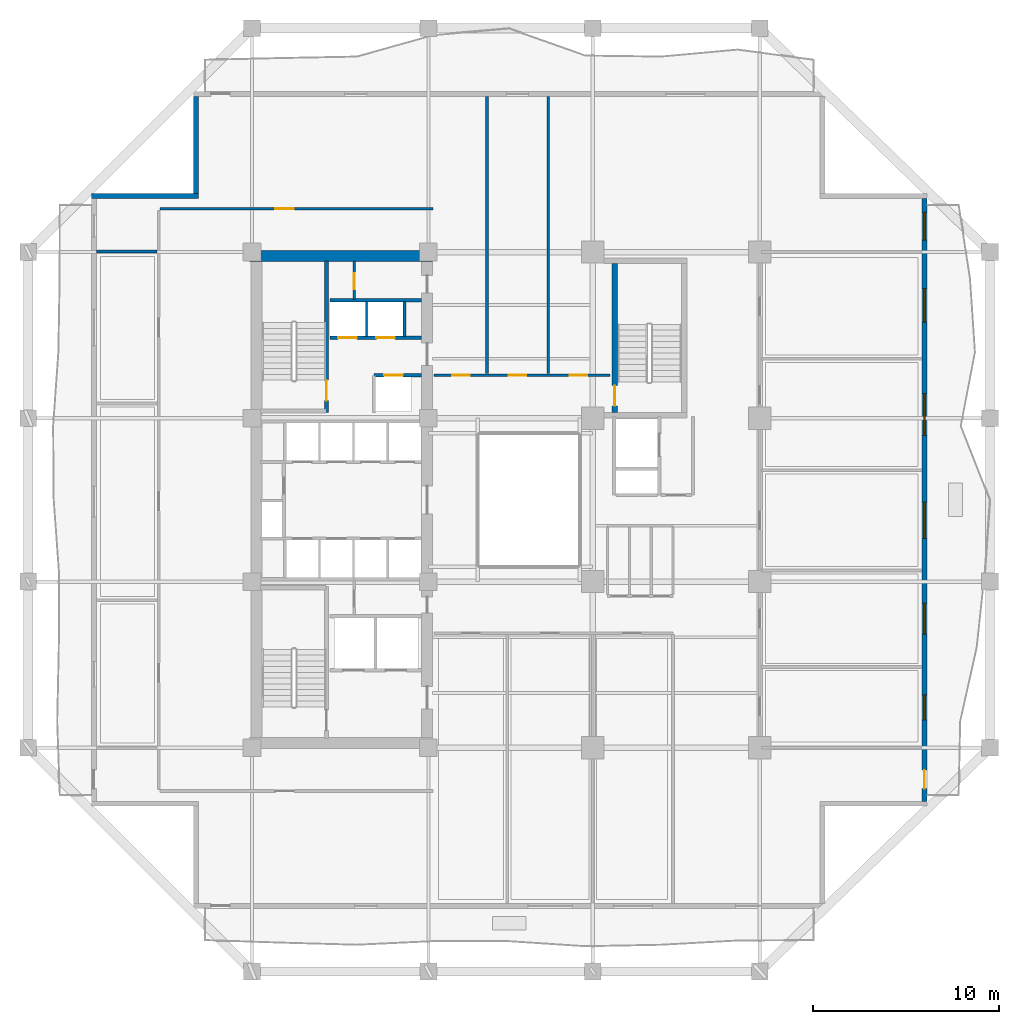
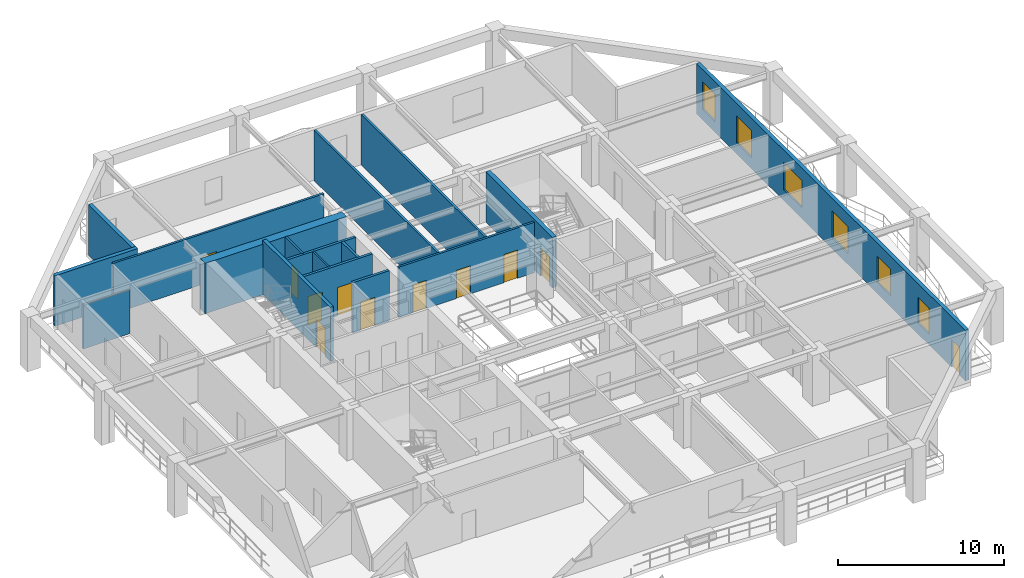
# One storey, part 5 of 13: 17 walls, 11 doors, 6 windows, 17 openings.
"""IFC4 building model written with IfcOpenShell, lengths in metres."""

from ifc_helpers import new_model, si_unit, direction, frame, frame_2d, origin, place, context, subcontext, project, spatial, rectangle, extrude, material, layer, layer_set, type_object, element, fill, save


model = new_model("IFC4")

# Units and contexts
model_context = context("Model", 3, precision=1e-05, world=origin(), true_north=direction((0.0, 1.0)))
body_context = subcontext(model_context, "Body", "Model", "MODEL_VIEW")
ifc_project = project(units=[si_unit("LENGTHUNIT", "METRE"), si_unit("AREAUNIT", "SQUARE_METRE"), si_unit("VOLUMEUNIT", "CUBIC_METRE"), si_unit("PLANEANGLEUNIT", "RADIAN"), si_unit("MASSUNIT", "GRAM", prefix="KILO")], contexts=[model_context])

# Site, building, storey
site_placement = place(None, origin())
site = spatial("IfcSite", under=ifc_project, at=site_placement, CompositionType="ELEMENT")
building_placement = place(site_placement, origin())
building = spatial("IfcBuilding", under=site, at=building_placement, Name="Kundavana Baori Tower", CompositionType="ELEMENT")
storey_placement = place(building_placement, frame((0.0, 0.0, 50.0)))
storey = spatial("IfcBuildingStorey", under=building, at=storey_placement, Name="L11", CompositionType="ELEMENT", Elevation=50.0)

# Wall, opening, door
ifc_material_1 = material(Name="Concrete C50/60", Category="concrete")
ifc_layer_1 = layer(ifc_material_1, 0.39990234375, Name="WL-CORE-400")
ifc_layer_set_1 = layer_set([ifc_layer_1], Name="Concrete C50/60")
wall_type_1 = type_object("IfcWallType", Name="WL-CORE-400", PredefinedType="SHEAR", material=ifc_layer_set_1)
wall_1_placement = place(storey_placement, frame((19.4599609375, 33.300048828125, 0.0), z_axis=(0.0, 0.0, 1.0), x_axis=(0.0, 1.0, 0.0)))
wall_1 = element("IfcWall", 1, at=wall_1_placement, inside=storey, type_object=wall_type_1, Name="WL-L11-ST2-E", PredefinedType="SHEAR", context=body_context, shape_type="SweptSolid", body=[
    extrude(rectangle(XDim=8.179931640625, YDim=0.239990234375, at=frame_2d((4.08984375, 0.0))), origin(), (0.0, 0.0, 1.0), 4.0),
])
opening_1_placement = place(wall_1_placement, frame((0.64990234375, 0.0, 0.0)))
opening_1 = element("IfcOpeningElement", 2, at=opening_1_placement, cuts=wall_1, Name="Opening FD-110", PredefinedType="OPENING", context=body_context, shape_type="SweptSolid", body=[
    extrude(rectangle(XDim=1.10009765625, YDim=2.10009765625, at=frame_2d((0.550048828125, 1.050048828125))), frame((0.0, 0.1298828125, 0.0), z_axis=(0.0, -1.0, 0.0), x_axis=(1.0, 0.0, 0.0)), (0.0, 0.0, 1.0), 0.260009765625),
])
ifc_material_2 = material(Name="Galvanised Steel Fire-Rated Door Leaf", Category="steel")
door_type_1 = type_object("IfcDoorType", Name="DR-FD120-1100", OperationType="NOTDEFINED", PredefinedType="DOOR", material=ifc_material_2)
door_1_placement = place(opening_1_placement, origin())
door_1 = element("IfcDoor", 3, at=door_1_placement, inside=storey, type_object=door_type_1, Name="DR-L11-ST2", OperationType="SINGLE_SWING_RIGHT", OverallHeight=2.10009765625, OverallWidth=1.10009765625, PredefinedType="DOOR", context=body_context, shape_type="SweptSolid", body=[
    extrude(rectangle(XDim=1.10009765625, YDim=2.10009765625, at=frame_2d((0.550048828125, 1.050048828125))), frame((0.0, 0.02490234375, 0.0), z_axis=(0.0, -1.0, 0.0), x_axis=(1.0, 0.0, 0.0)), (0.0, 0.0, 1.0), 0.050048828125),
])
fill(opening_1, door_1)

# Wall
ifc_material_3 = material(Name="Concrete C60/75", Category="concrete")
ifc_layer_2 = layer(ifc_material_3, 0.60009765625, Name="WL-CORE-600")
ifc_layer_set_2 = layer_set([ifc_layer_2], Name="Concrete C60/75")
wall_type_2 = type_object("IfcWallType", Name="WL-CORE-600", PredefinedType="SHEAR", material=ifc_layer_set_2)
wall_2_placement = place(storey_placement, frame((15.300048828125, 41.739990234375, 0.0), z_axis=(0.0, 0.0, 1.0), x_axis=(1.0, 0.0, 0.0)))
element("IfcWall", 4, at=wall_2_placement, inside=storey, type_object=wall_type_2, Name="L11 Offset Core North Shear Wall", PredefinedType="SHEAR", context=body_context, shape_type="SweptSolid", body=[
    extrude(rectangle(XDim=9.8798828125, YDim=0.60009765625, at=frame_2d((4.93994140625, 0.0))), origin(), (0.0, 0.0, 1.0), 3.719970703125),
])

# Wall, openings, door, windows
ifc_material_4 = material(Name="Kiln-Fired Terracotta Brick-Slip Masonry on Concrete C40/50", Category="masonry")
ifc_layer_3 = layer(ifc_material_4, 0.260009765625, Name="WL-EXT-BRK-260")
ifc_layer_set_3 = layer_set([ifc_layer_3], Name="Kiln-Fired Terracotta Brick-Slip Masonry on Concrete C40/50")
wall_type_3 = type_object("IfcWallType", Name="WL-EXT-BRK-260", PredefinedType="SOLIDWALL", material=ifc_layer_set_3)
wall_3_placement = place(storey_placement, frame((51.669921875, 12.360107421875, 0.0), z_axis=(0.0, 0.0, 1.0), x_axis=(0.0, 1.0, 0.0)))
wall_3 = element("IfcWall", 5, at=wall_3_placement, inside=storey, type_object=wall_type_3, Name="L11 Exterior Insulated Facade Wall 04", PredefinedType="SOLIDWALL", context=body_context, shape_type="SweptSolid", body=[
    extrude(rectangle(XDim=32.47998046875, YDim=0.260009765625, at=frame_2d((16.239990234375, 0.0))), origin(), (0.0, 0.0, 1.0), 3.719970703125),
])
opening_2_placement = place(wall_3_placement, frame((0.68994140625, 0.0, 0.0)))
opening_2 = element("IfcOpeningElement", 6, at=opening_2_placement, cuts=wall_3, Name="Opening BD-1", PredefinedType="OPENING", context=body_context, shape_type="SweptSolid", body=[
    extrude(rectangle(XDim=1.0, YDim=2.050048828125, at=frame_2d((0.5, 1.02490234375))), frame((0.0, 0.14013671875, 0.0), z_axis=(0.0, -1.0, 0.0), x_axis=(1.0, 0.0, 0.0)), (0.0, 0.0, 1.0), 0.280029296875),
])
opening_3_placement = place(wall_3_placement, frame((4.389892578125, 0.0, 0.800048828125)))
opening_3 = element("IfcOpeningElement", 7, at=opening_3_placement, cuts=wall_3, Name="Opening W-07", PredefinedType="OPENING", context=body_context, shape_type="SweptSolid", body=[
    extrude(rectangle(XDim=1.35009765625, YDim=1.89990234375, at=frame_2d((0.675048828125, 0.949951171875))), frame((0.0, 0.14013671875, 0.0), z_axis=(0.0, -1.0, 0.0), x_axis=(1.0, 0.0, 0.0)), (0.0, 0.0, 1.0), 0.280029296875),
])
opening_4_placement = place(wall_3_placement, frame((9.014892578125, 0.0, 0.800048828125)))
opening_4 = element("IfcOpeningElement", 8, at=opening_4_placement, cuts=wall_3, Name="Opening W-08", PredefinedType="OPENING", context=body_context, shape_type="SweptSolid", body=[
    extrude(rectangle(XDim=1.64990234375, YDim=1.949951171875, at=frame_2d((0.824951171875, 0.97509765625))), frame((0.0, 0.14013671875, 0.0), z_axis=(0.0, -1.0, 0.0), x_axis=(1.0, 0.0, 0.0)), (0.0, 0.0, 1.0), 0.280029296875),
])
opening_5_placement = place(wall_3_placement, frame((14.1650390625, 0.0, 0.800048828125)))
opening_5 = element("IfcOpeningElement", 9, at=opening_5_placement, cuts=wall_3, Name="Opening W-09", PredefinedType="OPENING", context=body_context, shape_type="SweptSolid", body=[
    extrude(rectangle(XDim=1.949951171875, YDim=2.0, at=frame_2d((0.97509765625, 1.0))), frame((0.0, 0.14013671875, 0.0), z_axis=(0.0, -1.0, 0.0), x_axis=(1.0, 0.0, 0.0)), (0.0, 0.0, 1.0), 0.280029296875),
])
opening_6_placement = place(wall_3_placement, frame((19.715087890625, 0.0, 0.800048828125)))
opening_6 = element("IfcOpeningElement", 10, at=opening_6_placement, cuts=wall_3, Name="Opening W-10", PredefinedType="OPENING", context=body_context, shape_type="SweptSolid", body=[
    extrude(rectangle(XDim=2.25, YDim=2.0, at=frame_2d((1.125, 1.0))), frame((0.0, 0.14013671875, 0.0), z_axis=(0.0, -1.0, 0.0), x_axis=(1.0, 0.0, 0.0)), (0.0, 0.0, 1.0), 0.280029296875),
])
opening_7_placement = place(wall_3_placement, frame((25.81494140625, 0.0, 0.800048828125)))
opening_7 = element("IfcOpeningElement", 11, at=opening_7_placement, cuts=wall_3, Name="Opening W-01", PredefinedType="OPENING", context=body_context, shape_type="SweptSolid", body=[
    extrude(rectangle(XDim=1.800048828125, YDim=2.0, at=frame_2d((0.89990234375, 1.0))), frame((0.0, 0.14013671875, 0.0), z_axis=(0.0, -1.0, 0.0), x_axis=(1.0, 0.0, 0.0)), (0.0, 0.0, 1.0), 0.280029296875),
])
opening_8_placement = place(wall_3_placement, frame((30.22998046875, 0.0, 0.800048828125)))
opening_8 = element("IfcOpeningElement", 12, at=opening_8_placement, cuts=wall_3, Name="Opening W-02", PredefinedType="OPENING", context=body_context, shape_type="SweptSolid", body=[
    extrude(rectangle(XDim=1.5, YDim=2.0, at=frame_2d((0.75, 1.0))), frame((0.0, 0.14013671875, 0.0), z_axis=(0.0, -1.0, 0.0), x_axis=(1.0, 0.0, 0.0)), (0.0, 0.0, 1.0), 0.280029296875),
])
ifc_material_5 = material(Name="Architectural Patinated Bronze Metalwork")
door_type_2 = type_object("IfcDoorType", Name="DR-EXT-LOG-1000", OperationType="NOTDEFINED", PredefinedType="DOOR", material=ifc_material_5)
door_2_placement = place(opening_2_placement, frame((1.0, 0.0, 0.0), z_axis=(0.0, 0.0, 1.0), x_axis=(-1.0, 0.0, 0.0)))
door_2 = element("IfcDoor", 13, at=door_2_placement, inside=storey, type_object=door_type_2, Name="L11 Loggia Balcony Access Door E", OperationType="SINGLE_SWING_RIGHT", OverallHeight=2.050048828125, OverallWidth=1.0, PredefinedType="DOOR", context=body_context, shape_type="SweptSolid", body=[
    extrude(rectangle(XDim=1.0, YDim=2.050048828125, at=frame_2d((0.5, 1.02490234375))), frame((0.0, 0.02490234375, 0.0), z_axis=(0.0, -1.0, 0.0), x_axis=(1.0, 0.0, 0.0)), (0.0, 0.0, 1.0), 0.050048828125),
])
fill(opening_2, door_2)
ifc_material_6 = material(Name="Double-Glazed Solar-Control Low-E Insulated Glass", Category="glass")
window_type_1 = type_object("IfcWindowType", Name="WIN-LOG-1350x1900", PartitioningType="SINGLE_PANEL", PredefinedType="WINDOW", material=ifc_material_6)
window_1_placement = place(opening_3_placement, origin())
window_1 = element("IfcWindow", 14, at=window_1_placement, inside=storey, type_object=window_type_1, Name="L11 Recessed Loggia Window E-2", OverallHeight=1.89990234375, OverallWidth=1.35009765625, PartitioningType="SINGLE_PANEL", PredefinedType="WINDOW", context=body_context, shape_type="SweptSolid", body=[
    extrude(rectangle(XDim=1.35009765625, YDim=1.89990234375, at=frame_2d((0.675048828125, 0.949951171875))), frame((0.0, 0.030029296875, 0.0), z_axis=(0.0, -1.0, 0.0), x_axis=(1.0, 0.0, 0.0)), (0.0, 0.0, 1.0), 0.06005859375),
])
fill(opening_3, window_1)
ifc_material_7 = material(Name="Double-Glazed Solar-Control Low-E Insulated Glass", Category="glass")
window_type_2 = type_object("IfcWindowType", Name="WIN-LOG-1500x2000", PartitioningType="SINGLE_PANEL", PredefinedType="WINDOW", material=ifc_material_7)
window_2_placement = place(opening_8_placement, origin())
window_2 = element("IfcWindow", 15, at=window_2_placement, inside=storey, type_object=window_type_2, Name="L11 Recessed Loggia Window E-7", OverallHeight=2.0, OverallWidth=1.5, PartitioningType="SINGLE_PANEL", PredefinedType="WINDOW", context=body_context, shape_type="SweptSolid", body=[
    extrude(rectangle(XDim=1.5, YDim=2.0, at=frame_2d((0.75, 1.0))), frame((0.0, 0.030029296875, 0.0), z_axis=(0.0, -1.0, 0.0), x_axis=(1.0, 0.0, 0.0)), (0.0, 0.0, 1.0), 0.06005859375),
])
fill(opening_8, window_2)
ifc_material_8 = material(Name="Double-Glazed Solar-Control Low-E Insulated Glass", Category="glass")
window_type_3 = type_object("IfcWindowType", Name="WIN-LOG-1650x1950", PartitioningType="SINGLE_PANEL", PredefinedType="WINDOW", material=ifc_material_8)
window_3_placement = place(opening_4_placement, origin())
window_3 = element("IfcWindow", 16, at=window_3_placement, inside=storey, type_object=window_type_3, Name="L11 Recessed Loggia Window E-3", OverallHeight=1.949951171875, OverallWidth=1.64990234375, PartitioningType="SINGLE_PANEL", PredefinedType="WINDOW", context=body_context, shape_type="SweptSolid", body=[
    extrude(rectangle(XDim=1.64990234375, YDim=1.949951171875, at=frame_2d((0.824951171875, 0.97509765625))), frame((0.0, 0.030029296875, 0.0), z_axis=(0.0, -1.0, 0.0), x_axis=(1.0, 0.0, 0.0)), (0.0, 0.0, 1.0), 0.06005859375),
])
fill(opening_4, window_3)
ifc_material_9 = material(Name="Double-Glazed Solar-Control Low-E Insulated Glass", Category="glass")
window_type_4 = type_object("IfcWindowType", Name="WIN-LOG-1800x2000", PartitioningType="SINGLE_PANEL", PredefinedType="WINDOW", material=ifc_material_9)
window_4_placement = place(opening_7_placement, origin())
window_4 = element("IfcWindow", 17, at=window_4_placement, inside=storey, type_object=window_type_4, Name="L11 Recessed Loggia Window E-6", OverallHeight=2.0, OverallWidth=1.800048828125, PartitioningType="SINGLE_PANEL", PredefinedType="WINDOW", context=body_context, shape_type="SweptSolid", body=[
    extrude(rectangle(XDim=1.800048828125, YDim=2.0, at=frame_2d((0.89990234375, 1.0))), frame((0.0, 0.030029296875, 0.0), z_axis=(0.0, -1.0, 0.0), x_axis=(1.0, 0.0, 0.0)), (0.0, 0.0, 1.0), 0.06005859375),
])
fill(opening_7, window_4)
ifc_material_10 = material(Name="Double-Glazed Solar-Control Low-E Insulated Glass", Category="glass")
window_type_5 = type_object("IfcWindowType", Name="WIN-LOG-1950x2000", PartitioningType="SINGLE_PANEL", PredefinedType="WINDOW", material=ifc_material_10)
window_5_placement = place(opening_5_placement, origin())
window_5 = element("IfcWindow", 18, at=window_5_placement, inside=storey, type_object=window_type_5, Name="L11 Recessed Loggia Window E-4", OverallHeight=2.0, OverallWidth=1.949951171875, PartitioningType="SINGLE_PANEL", PredefinedType="WINDOW", context=body_context, shape_type="SweptSolid", body=[
    extrude(rectangle(XDim=1.949951171875, YDim=2.0, at=frame_2d((0.97509765625, 1.0))), frame((0.0, 0.030029296875, 0.0), z_axis=(0.0, -1.0, 0.0), x_axis=(1.0, 0.0, 0.0)), (0.0, 0.0, 1.0), 0.06005859375),
])
fill(opening_5, window_5)
ifc_material_11 = material(Name="Double-Glazed Solar-Control Low-E Insulated Glass", Category="glass")
window_type_6 = type_object("IfcWindowType", Name="WIN-LOG-2250x2000", PartitioningType="SINGLE_PANEL", PredefinedType="WINDOW", material=ifc_material_11)
window_6_placement = place(opening_6_placement, origin())
window_6 = element("IfcWindow", 19, at=window_6_placement, inside=storey, type_object=window_type_6, Name="L11 Recessed Loggia Window E-5", OverallHeight=2.0, OverallWidth=2.25, PartitioningType="SINGLE_PANEL", PredefinedType="WINDOW", context=body_context, shape_type="SweptSolid", body=[
    extrude(rectangle(XDim=2.25, YDim=2.0, at=frame_2d((1.125, 1.0))), frame((0.0, 0.030029296875, 0.0), z_axis=(0.0, -1.0, 0.0), x_axis=(1.0, 0.0, 0.0)), (0.0, 0.0, 1.0), 0.06005859375),
])
fill(opening_6, window_6)

# Walls
wall_4_placement = place(storey_placement, frame((12.429931640625, 50.340087890625, 0.0), z_axis=(0.0, 0.0, 1.0), x_axis=(0.0, -1.0, 0.0)))
element("IfcWall", 20, at=wall_4_placement, inside=storey, type_object=wall_type_3, Name="L11 Exterior Insulated Facade Wall 08", PredefinedType="SOLIDWALL", context=body_context, shape_type="SweptSolid", body=[
    extrude(rectangle(XDim=5.239990234375, YDim=0.260009765625, at=frame_2d((2.6201171875, 0.0))), origin(), (0.0, 0.0, 1.0), 3.719970703125),
])
wall_5_placement = place(storey_placement, frame((12.56005859375, 44.969970703125, 0.0), z_axis=(0.0, 0.0, 1.0), x_axis=(-1.0, 0.0, 0.0)))
element("IfcWall", 21, at=wall_5_placement, inside=storey, type_object=wall_type_3, Name="L11 Exterior Insulated Facade Wall 09", PredefinedType="SOLIDWALL", context=body_context, shape_type="SweptSolid", body=[
    extrude(rectangle(XDim=5.760009765625, YDim=0.260009765625, at=frame_2d((2.8798828125, 0.0))), origin(), (0.0, 0.0, 1.0), 3.719970703125),
])
ifc_material_12 = material(Name="Acoustic Gypsum Plasterboard on Galvanised Steel Studs", Category="steel")
ifc_layer_4 = layer(ifc_material_12, 0.1201171875, Name="WL-PART-120")
ifc_layer_set_4 = layer_set([ifc_layer_4], Name="Acoustic Gypsum Plasterboard on Galvanised Steel Studs")
wall_type_4 = type_object("IfcWallType", Name="WL-PART-120", PredefinedType="PARTITIONING", material=ifc_layer_set_4)
wall_6_placement = place(storey_placement, frame((21.6201171875, 37.39990234375, 0.0), z_axis=(0.0, 0.0, 1.0), x_axis=(0.0, 1.0, 0.0)))
element("IfcWall", 22, at=wall_6_placement, inside=storey, type_object=wall_type_4, Name="WL-L11-HR-DIV1", PredefinedType="PARTITIONING", context=body_context, shape_type="SweptSolid", body=[
    extrude(rectangle(XDim=1.900146484375, YDim=0.1201171875, at=frame_2d((0.9501953125, 0.0))), origin(), (0.0, 0.0, 1.0), 3.719970703125),
])

# Wall, opening, door
wall_7_placement = place(storey_placement, frame((20.949951171875, 39.39990234375, 0.0), z_axis=(0.0, 0.0, 1.0), x_axis=(0.0, 1.0, 0.0)))
wall_7 = element("IfcWall", 23, at=wall_7_placement, inside=storey, type_object=wall_type_4, Name="WL-L11-CSRV-D2", PredefinedType="PARTITIONING", context=body_context, shape_type="SweptSolid", body=[
    extrude(rectangle(XDim=2.080078125, YDim=0.1201171875, at=frame_2d((1.0400390625, 0.0))), origin(), (0.0, 0.0, 1.0), 3.719970703125),
])
opening_9_placement = place(wall_7_placement, frame((0.550048828125, 0.0, 0.0)))
opening_9 = element("IfcOpeningElement", 24, at=opening_9_placement, cuts=wall_7, Name="Opening FD-085", PredefinedType="OPENING", context=body_context, shape_type="SweptSolid", body=[
    extrude(rectangle(XDim=0.85009765625, YDim=2.06005859375, at=frame_2d((0.425048828125, 1.030029296875))), frame((0.0, 0.070068359375, 0.0), z_axis=(0.0, -1.0, 0.0), x_axis=(1.0, 0.0, 0.0)), (0.0, 0.0, 1.0), 0.14013671875),
])
ifc_material_13 = material(Name="Galvanised Steel Fire-Rated Door Leaf", Category="steel")
door_type_3 = type_object("IfcDoorType", Name="DR-FD60-850", OperationType="NOTDEFINED", PredefinedType="DOOR", material=ifc_material_13)
door_3_placement = place(opening_9_placement, origin())
door_3 = element("IfcDoor", 25, at=door_3_placement, inside=storey, type_object=door_type_3, Name="DR-L11-CSRV1", OperationType="SINGLE_SWING_RIGHT", OverallHeight=2.06005859375, OverallWidth=0.85009765625, PredefinedType="DOOR", context=body_context, shape_type="SweptSolid", body=[
    extrude(rectangle(XDim=0.85009765625, YDim=2.06005859375, at=frame_2d((0.425048828125, 1.030029296875))), frame((0.0, 0.02490234375, 0.0), z_axis=(0.0, -1.0, 0.0), x_axis=(1.0, 0.0, 0.0)), (0.0, 0.0, 1.0), 0.050048828125),
])
fill(opening_9, door_3)

# Wall, openings, doors
ifc_material_14 = material(Name="Fire-Rated Gypsum Drywall on Galvanised Steel Studs", Category="steel")
ifc_layer_5 = layer(ifc_material_14, 0.14990234375, Name="WL-PART-150")
ifc_layer_set_5 = layer_set([ifc_layer_5], Name="Fire-Rated Gypsum Drywall on Galvanised Steel Studs")
wall_type_5 = type_object("IfcWallType", Name="WL-PART-150", PredefinedType="PARTITIONING", material=ifc_layer_set_5)
wall_8_placement = place(storey_placement, frame((25.25, 35.320068359375, 0.0), z_axis=(0.0, 0.0, 1.0), x_axis=(1.0, 0.0, 0.0)))
wall_8 = element("IfcWall", 26, at=wall_8_placement, inside=storey, type_object=wall_type_5, Name="WL-L11-OFN", PredefinedType="PARTITIONING", context=body_context, shape_type="SweptSolid", body=[
    extrude(rectangle(XDim=9.469970703125, YDim=0.14990234375, at=frame_2d((4.73486328125, 0.0))), origin(), (0.0, 0.0, 1.0), 3.719970703125),
])
opening_10_placement = place(wall_8_placement, frame((0.97509765625, 0.0, 0.0)))
opening_10 = element("IfcOpeningElement", 27, at=opening_10_placement, cuts=wall_8, Name="Opening ID-095", PredefinedType="OPENING", context=body_context, shape_type="SweptSolid", body=[
    extrude(rectangle(XDim=0.949951171875, YDim=2.080078125, at=frame_2d((0.47509765625, 1.0400390625))), frame((0.0, 0.0849609375, 0.0), z_axis=(0.0, -1.0, 0.0), x_axis=(1.0, 0.0, 0.0)), (0.0, 0.0, 1.0), 0.169921875),
])
opening_11_placement = place(wall_8_placement, frame((4.02490234375, 0.0, 0.0)))
opening_11 = element("IfcOpeningElement", 28, at=opening_11_placement, cuts=wall_8, Name="Opening ID-095", PredefinedType="OPENING", context=body_context, shape_type="SweptSolid", body=[
    extrude(rectangle(XDim=0.949951171875, YDim=2.080078125, at=frame_2d((0.47509765625, 1.0400390625))), frame((0.0, 0.0849609375, 0.0), z_axis=(0.0, -1.0, 0.0), x_axis=(1.0, 0.0, 0.0)), (0.0, 0.0, 1.0), 0.169921875),
])
opening_12_placement = place(wall_8_placement, frame((7.31494140625, 0.0, 0.0)))
opening_12 = element("IfcOpeningElement", 29, at=opening_12_placement, cuts=wall_8, Name="Opening ID-095", PredefinedType="OPENING", context=body_context, shape_type="SweptSolid", body=[
    extrude(rectangle(XDim=0.949951171875, YDim=2.080078125, at=frame_2d((0.47509765625, 1.0400390625))), frame((0.0, 0.0849609375, 0.0), z_axis=(0.0, -1.0, 0.0), x_axis=(1.0, 0.0, 0.0)), (0.0, 0.0, 1.0), 0.169921875),
])
ifc_material_15 = material(Name="Engineered Teak Solid-Core Timber Veneer", Category="wood")
door_type_4 = type_object("IfcDoorType", Name="DR-INT-950", OperationType="NOTDEFINED", PredefinedType="DOOR", material=ifc_material_15)
door_4_placement = place(opening_10_placement, origin())
door_4 = element("IfcDoor", 30, at=door_4_placement, inside=storey, type_object=door_type_4, Name="DR-L11-OFN1", OperationType="SINGLE_SWING_LEFT", OverallHeight=2.080078125, OverallWidth=0.949951171875, PredefinedType="DOOR", context=body_context, shape_type="SweptSolid", body=[
    extrude(rectangle(XDim=0.949951171875, YDim=2.080078125, at=frame_2d((0.47509765625, 1.0400390625))), frame((0.0, 0.02490234375, 0.0), z_axis=(0.0, -1.0, 0.0), x_axis=(1.0, 0.0, 0.0)), (0.0, 0.0, 1.0), 0.050048828125),
])
fill(opening_10, door_4)
door_5_placement = place(opening_11_placement, origin())
door_5 = element("IfcDoor", 31, at=door_5_placement, inside=storey, type_object=door_type_4, Name="DR-L11-OFN2", OperationType="SINGLE_SWING_LEFT", OverallHeight=2.080078125, OverallWidth=0.949951171875, PredefinedType="DOOR", context=body_context, shape_type="SweptSolid", body=[
    extrude(rectangle(XDim=0.949951171875, YDim=2.080078125, at=frame_2d((0.47509765625, 1.0400390625))), frame((0.0, 0.02490234375, 0.0), z_axis=(0.0, -1.0, 0.0), x_axis=(1.0, 0.0, 0.0)), (0.0, 0.0, 1.0), 0.050048828125),
])
fill(opening_11, door_5)
door_6_placement = place(opening_12_placement, origin())
door_6 = element("IfcDoor", 32, at=door_6_placement, inside=storey, type_object=door_type_4, Name="DR-L11-OFN3", OperationType="SINGLE_SWING_LEFT", OverallHeight=2.080078125, OverallWidth=0.949951171875, PredefinedType="DOOR", context=body_context, shape_type="SweptSolid", body=[
    extrude(rectangle(XDim=0.949951171875, YDim=2.080078125, at=frame_2d((0.47509765625, 1.0400390625))), frame((0.0, 0.02490234375, 0.0), z_axis=(0.0, -1.0, 0.0), x_axis=(1.0, 0.0, 0.0)), (0.0, 0.0, 1.0), 0.050048828125),
])
fill(opening_12, door_6)

# Wall
wall_9_placement = place(storey_placement, frame((7.080078125, 41.97998046875, 0.0), z_axis=(0.0, 0.0, 1.0), x_axis=(1.0, 0.0, 0.0)))
element("IfcWall", 33, at=wall_9_placement, inside=storey, type_object=wall_type_5, Name="WL-L11-OWN", PredefinedType="PARTITIONING", context=body_context, shape_type="SweptSolid", body=[
    extrude(rectangle(XDim=3.260009765625, YDim=0.14990234375, at=frame_2d((1.6298828125, 0.0))), origin(), (0.0, 0.0, 1.0), 3.219970703125),
])

# Wall, opening, door
wall_10_placement = place(storey_placement, frame((10.5, 44.280029296875, 0.0), z_axis=(0.0, 0.0, 1.0), x_axis=(1.0, 0.0, 0.0)))
wall_10 = element("IfcWall", 34, at=wall_10_placement, inside=storey, type_object=wall_type_5, Name="WL-L11-ONC", PredefinedType="PARTITIONING", context=body_context, shape_type="SweptSolid", body=[
    extrude(rectangle(XDim=14.699951171875, YDim=0.14990234375, at=frame_2d((7.35009765625, 0.0))), origin(), (0.0, 0.0, 1.0), 3.719970703125),
])
opening_13_placement = place(wall_10_placement, frame((6.199951171875, 0.0, 0.0)))
opening_13 = element("IfcOpeningElement", 35, at=opening_13_placement, cuts=wall_10, Name="Opening ID-100", PredefinedType="OPENING", context=body_context, shape_type="SweptSolid", body=[
    extrude(rectangle(XDim=1.0, YDim=2.080078125, at=frame_2d((0.5, 1.0400390625))), frame((0.0, 0.0849609375, 0.0), z_axis=(0.0, -1.0, 0.0), x_axis=(1.0, 0.0, 0.0)), (0.0, 0.0, 1.0), 0.169921875),
])
ifc_material_16 = material(Name="Engineered Teak Solid-Core Timber Veneer", Category="wood")
door_type_5 = type_object("IfcDoorType", Name="DR-INT-1000", OperationType="NOTDEFINED", PredefinedType="DOOR", material=ifc_material_16)
door_7_placement = place(opening_13_placement, origin())
door_7 = element("IfcDoor", 36, at=door_7_placement, inside=storey, type_object=door_type_5, Name="DR-L11-ONWC", OperationType="SINGLE_SWING_RIGHT", OverallHeight=2.080078125, OverallWidth=1.0, PredefinedType="DOOR", context=body_context, shape_type="SweptSolid", body=[
    extrude(rectangle(XDim=1.0, YDim=2.080078125, at=frame_2d((0.5, 1.0400390625))), frame((0.0, 0.02490234375, 0.0), z_axis=(0.0, -1.0, 0.0), x_axis=(1.0, 0.0, 0.0)), (0.0, 0.0, 1.0), 0.050048828125),
])
fill(opening_13, door_7)

# Walls
for number, where, z_axis, x_axis, name in (
    (37, (28.10009765625, 35.39990234375, 0.0), (0.0, 0.0, 1.0), (0.0, 1.0, 0.0), "WL-L11-ND1"),
    (38, (31.39990234375, 35.39990234375, 0.0), (0.0, 0.0, 1.0), (0.0, 1.0, 0.0), "WL-L11-ND2"),
):
    element("IfcWall", number, at=place(storey_placement, frame(where, z_axis=z_axis, x_axis=x_axis)), inside=storey, type_object=wall_type_5, Name=name, PredefinedType="PARTITIONING", context=body_context, shape_type="SweptSolid", body=[
        extrude(rectangle(XDim=14.920166015625, YDim=0.14990234375, at=frame_2d((7.4599609375, 0.0))), origin(), (0.0, 0.0, 1.0), 3.719970703125),
    ])

# Wall, opening, door
ifc_material_17 = material(Name="Autoclaved Aerated Concrete Blockwork Masonry", Category="masonry")
ifc_layer_6 = layer(ifc_material_17, 0.179931640625, Name="WL-SHAFT-180")
ifc_layer_set_6 = layer_set([ifc_layer_6], Name="Autoclaved Aerated Concrete Blockwork Masonry")
wall_type_6 = type_object("IfcWallType", Name="WL-SHAFT-180", PredefinedType="SOLIDWALL", material=ifc_layer_set_6)
wall_11_placement = place(storey_placement, frame((22.02001953125, 35.31005859375, 0.0), z_axis=(0.0, 0.0, 1.0), x_axis=(1.0, 0.0, 0.0)))
wall_11 = element("IfcWall", 39, at=wall_11_placement, inside=storey, type_object=wall_type_6, Name="WL-L11-LP11-N", PredefinedType="SOLIDWALL", context=body_context, shape_type="SweptSolid", body=[
    extrude(rectangle(XDim=2.56005859375, YDim=0.179931640625, at=frame_2d((1.280029296875, 0.0))), origin(), (0.0, 0.0, 1.0), 3.719970703125),
])
opening_14_placement = place(wall_11_placement, frame((0.550048828125, 0.0, 0.0)))
opening_14 = element("IfcOpeningElement", 40, at=opening_14_placement, cuts=wall_11, Name="Opening LD-100", PredefinedType="OPENING", context=body_context, shape_type="SweptSolid", body=[
    extrude(rectangle(XDim=1.0, YDim=2.10009765625, at=frame_2d((0.5, 1.050048828125))), frame((0.0, 0.10009765625, 0.0), z_axis=(0.0, -1.0, 0.0), x_axis=(1.0, 0.0, 0.0)), (0.0, 0.0, 1.0), 0.199951171875),
])
ifc_material_18 = material(Name="Galvanised Steel Fire-Rated Door Leaf", Category="steel")
door_type_6 = type_object("IfcDoorType", Name="DR-SLIDE-LD1000", OperationType="NOTDEFINED", PredefinedType="DOOR", material=ifc_material_18)
door_8_placement = place(opening_14_placement, origin())
door_8 = element("IfcDoor", 41, at=door_8_placement, inside=storey, type_object=door_type_6, Name="DR-L11-LD-LP11", OperationType="DOUBLE_DOOR_SLIDING", OverallHeight=2.10009765625, OverallWidth=1.0, PredefinedType="DOOR", context=body_context, shape_type="SweptSolid", body=[
    extrude(rectangle(XDim=1.0, YDim=2.10009765625, at=frame_2d((0.5, 1.050048828125))), frame((0.0, 0.02490234375, 0.0), z_axis=(0.0, -1.0, 0.0), x_axis=(1.0, 0.0, 0.0)), (0.0, 0.0, 1.0), 0.050048828125),
])
fill(opening_14, door_8)

# Wall, openings, doors
wall_12_placement = place(storey_placement, frame((19.639892578125, 37.340087890625, 0.0), z_axis=(0.0, 0.0, 1.0), x_axis=(1.0, 0.0, 0.0)))
wall_12 = element("IfcWall", 42, at=wall_12_placement, inside=storey, type_object=wall_type_6, Name="WL-L11-HRLOB-N", PredefinedType="SOLIDWALL", context=body_context, shape_type="SweptSolid", body=[
    extrude(rectangle(XDim=4.940185546875, YDim=0.179931640625, at=frame_2d((2.47021484375, 0.0))), origin(), (0.0, 0.0, 1.0), 3.719970703125),
])
opening_15_placement = place(wall_12_placement, frame((0.449951171875, 0.0, 0.0)))
opening_15 = element("IfcOpeningElement", 43, at=opening_15_placement, cuts=wall_12, Name="Opening LD-100", PredefinedType="OPENING", context=body_context, shape_type="SweptSolid", body=[
    extrude(rectangle(XDim=1.0, YDim=2.10009765625, at=frame_2d((0.5, 1.050048828125))), frame((0.0, 0.10009765625, 0.0), z_axis=(0.0, -1.0, 0.0), x_axis=(1.0, 0.0, 0.0)), (0.0, 0.0, 1.0), 0.199951171875),
])
opening_16_placement = place(wall_12_placement, frame((2.5, 0.0, 0.0)))
opening_16 = element("IfcOpeningElement", 44, at=opening_16_placement, cuts=wall_12, Name="Opening LD-100", PredefinedType="OPENING", context=body_context, shape_type="SweptSolid", body=[
    extrude(rectangle(XDim=1.0, YDim=2.10009765625, at=frame_2d((0.5, 1.050048828125))), frame((0.0, 0.10009765625, 0.0), z_axis=(0.0, -1.0, 0.0), x_axis=(1.0, 0.0, 0.0)), (0.0, 0.0, 1.0), 0.199951171875),
])
door_9_placement = place(opening_15_placement, frame((1.0, 0.0, 0.0), z_axis=(0.0, 0.0, 1.0), x_axis=(-1.0, 0.0, 0.0)))
door_9 = element("IfcDoor", 45, at=door_9_placement, inside=storey, type_object=door_type_6, Name="DR-L11-LD-LP09", OperationType="DOUBLE_DOOR_SLIDING", OverallHeight=2.10009765625, OverallWidth=1.0, PredefinedType="DOOR", context=body_context, shape_type="SweptSolid", body=[
    extrude(rectangle(XDim=1.0, YDim=2.10009765625, at=frame_2d((0.5, 1.050048828125))), frame((0.0, 0.02490234375, 0.0), z_axis=(0.0, -1.0, 0.0), x_axis=(1.0, 0.0, 0.0)), (0.0, 0.0, 1.0), 0.050048828125),
])
fill(opening_15, door_9)
door_10_placement = place(opening_16_placement, frame((1.0, 0.0, 0.0), z_axis=(0.0, 0.0, 1.0), x_axis=(-1.0, 0.0, 0.0)))
door_10 = element("IfcDoor", 46, at=door_10_placement, inside=storey, type_object=door_type_6, Name="DR-L11-LD-LP10", OperationType="DOUBLE_DOOR_SLIDING", OverallHeight=2.10009765625, OverallWidth=1.0, PredefinedType="DOOR", context=body_context, shape_type="SweptSolid", body=[
    extrude(rectangle(XDim=1.0, YDim=2.10009765625, at=frame_2d((0.5, 1.050048828125))), frame((0.0, 0.02490234375, 0.0), z_axis=(0.0, -1.0, 0.0), x_axis=(1.0, 0.0, 0.0)), (0.0, 0.0, 1.0), 0.050048828125),
])
fill(opening_16, door_10)

# Walls
wall_13_placement = place(storey_placement, frame((19.639892578125, 39.360107421875, 0.0), z_axis=(0.0, 0.0, 1.0), x_axis=(1.0, 0.0, 0.0)))
element("IfcWall", 47, at=wall_13_placement, inside=storey, type_object=wall_type_6, Name="WL-L11-HRLOB-TOP", PredefinedType="SOLIDWALL", context=body_context, shape_type="SweptSolid", body=[
    extrude(rectangle(XDim=4.940185546875, YDim=0.179931640625, at=frame_2d((2.47021484375, 0.0))), origin(), (0.0, 0.0, 1.0), 3.719970703125),
])
wall_14_placement = place(storey_placement, frame((23.659912109375, 37.39990234375, 0.0), z_axis=(0.0, 0.0, 1.0), x_axis=(0.0, 1.0, 0.0)))
element("IfcWall", 48, at=wall_14_placement, inside=storey, type_object=wall_type_6, Name="WL-L11-HR-DIV2", PredefinedType="SOLIDWALL", context=body_context, shape_type="SweptSolid", body=[
    extrude(rectangle(XDim=1.900146484375, YDim=0.179931640625, at=frame_2d((0.9501953125, 0.0))), origin(), (0.0, 0.0, 1.0), 3.719970703125),
])

# Wall, opening, door
ifc_material_19 = material(Name="Concrete C50/60", Category="concrete")
ifc_layer_7 = layer(ifc_material_19, 0.300048828125, Name="WL-ST3-300")
ifc_layer_set_7 = layer_set([ifc_layer_7], Name="Concrete C50/60")
wall_type_7 = type_object("IfcWallType", Name="WL-ST3-300", PredefinedType="SHEAR", material=ifc_layer_set_7)
wall_15_placement = place(storey_placement, frame((34.97998046875, 33.31005859375, 0.0), z_axis=(0.0, 0.0, 1.0), x_axis=(0.0, 1.0, 0.0)))
wall_15 = element("IfcWall", 49, at=wall_15_placement, inside=storey, type_object=wall_type_7, Name="L11 Stair ST3 West Shear Wall", PredefinedType="SHEAR", context=body_context, shape_type="SweptSolid", body=[
    extrude(rectangle(XDim=8.030029296875, YDim=0.300048828125, at=frame_2d((4.01513671875, 0.0))), origin(), (0.0, 0.0, 1.0), 3.719970703125),
])
opening_17_placement = place(wall_15_placement, frame((0.35009765625, 0.0, 0.0)))
opening_17 = element("IfcOpeningElement", 50, at=opening_17_placement, cuts=wall_15, Name="Opening FD-110", PredefinedType="OPENING", context=body_context, shape_type="SweptSolid", body=[
    extrude(rectangle(XDim=1.10009765625, YDim=2.10009765625, at=frame_2d((0.550048828125, 1.050048828125))), frame((0.0, 0.16015625, 0.0), z_axis=(0.0, -1.0, 0.0), x_axis=(1.0, 0.0, 0.0)), (0.0, 0.0, 1.0), 0.320068359375),
])
door_11_placement = place(opening_17_placement, origin())
door_11 = element("IfcDoor", 51, at=door_11_placement, inside=storey, type_object=door_type_1, Name="DR-L11-ST3-W", OperationType="SINGLE_SWING_LEFT", OverallHeight=2.10009765625, OverallWidth=1.10009765625, PredefinedType="DOOR", context=body_context, shape_type="SweptSolid", body=[
    extrude(rectangle(XDim=1.10009765625, YDim=2.10009765625, at=frame_2d((0.550048828125, 1.050048828125))), frame((0.0, 0.02490234375, 0.0), z_axis=(0.0, -1.0, 0.0), x_axis=(1.0, 0.0, 0.0)), (0.0, 0.0, 1.0), 0.050048828125),
])
fill(opening_17, door_11)

save(model, "model.ifc")
